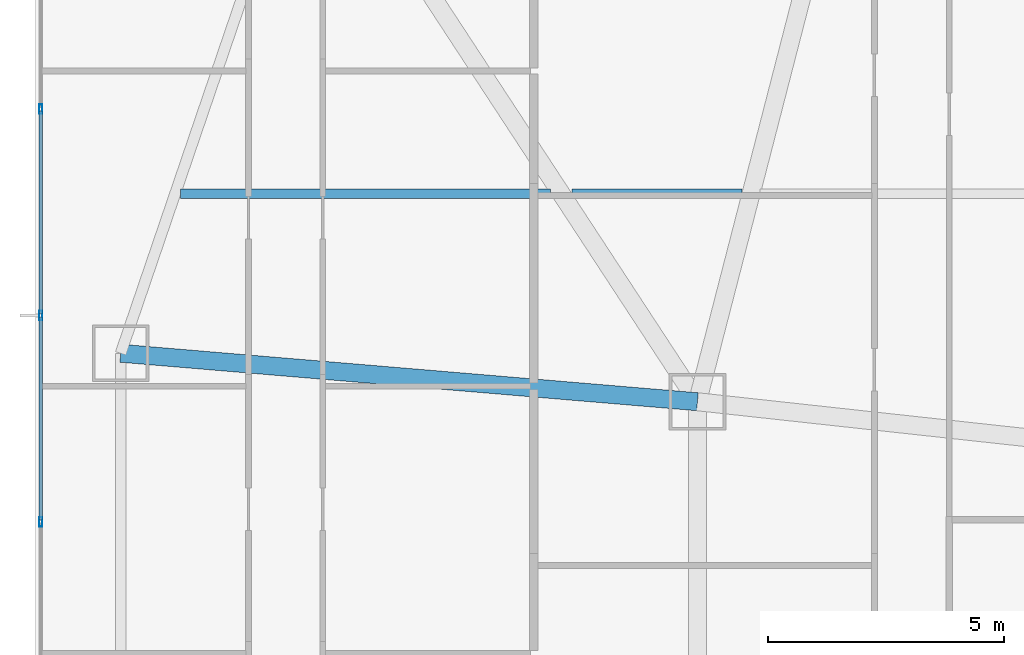
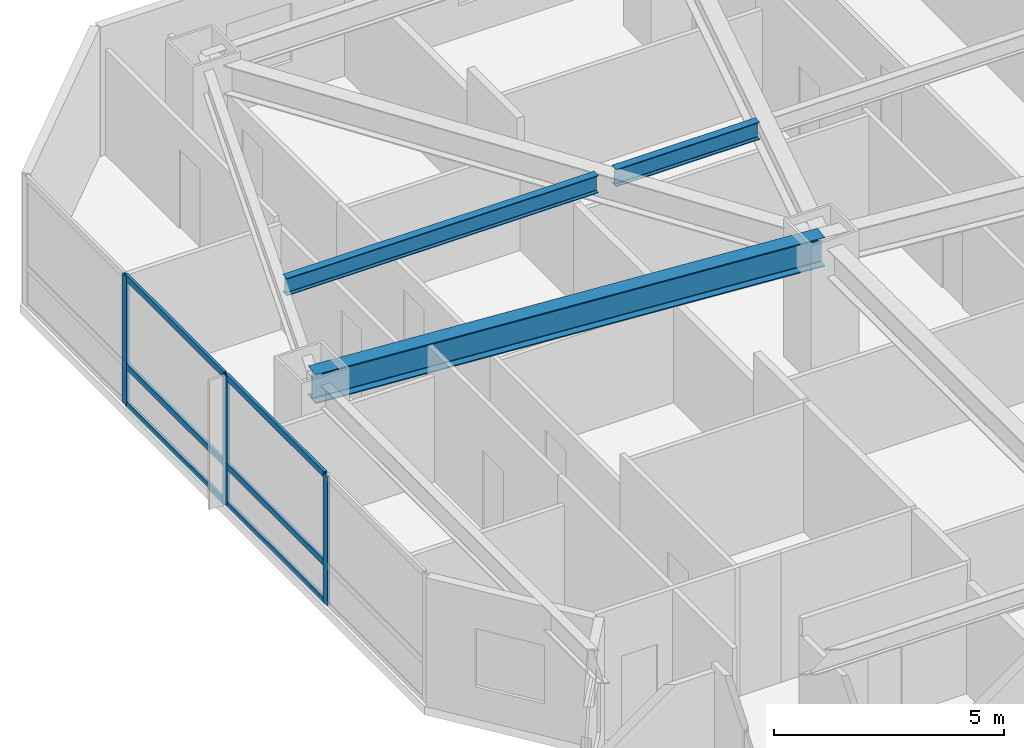
# One storey, part 10 of 25: 9 members, 3 beams, 1 element without a shape of its own.
"""IFC4 building model written with IfcOpenShell, lengths in metres."""

from ifc_helpers import new_model, si_unit, direction, frame, origin, origin_2d, place, context, subcontext, project, spatial, hollow_rectangle, i_section, extrude, material, material_profile, profile_set, type_object, element, aggregate, save


model = new_model("IFC4")

# Units and contexts
model_context = context("Model", 3, precision=1e-05, world=origin(), true_north=direction((0.0, 1.0)))
body_context = subcontext(model_context, "Body", "Model", "MODEL_VIEW")
ifc_project = project(units=[si_unit("LENGTHUNIT", "METRE"), si_unit("AREAUNIT", "SQUARE_METRE"), si_unit("VOLUMEUNIT", "CUBIC_METRE"), si_unit("PLANEANGLEUNIT", "RADIAN"), si_unit("MASSUNIT", "GRAM", prefix="KILO")], contexts=[model_context])

# Site, building, storey
site_placement = place(None, origin())
site = spatial("IfcSite", under=ifc_project, at=site_placement, CompositionType="ELEMENT")
building_placement = place(site_placement, origin())
building = spatial("IfcBuilding", under=site, at=building_placement, Name="Khamvora Tower", CompositionType="ELEMENT")
storey_placement = place(building_placement, frame((0.0, 0.0, 36.949951171875)))
storey = spatial("IfcBuildingStorey", under=building, at=storey_placement, Name="L08", CompositionType="ELEMENT", Elevation=36.949951171875)

# Beams
ifc_material_1 = material(Name="Steel S355", Category="steel")
ifc_material_profile_1 = material_profile(ifc_material_1, i_section(OverallWidth=0.19189453125, OverallDepth=0.462890625, WebThickness=0.010986328125, FlangeThickness=0.01806640625, FilletRadius=0.011962890625, at=origin_2d()), Name="W460x89")
ifc_profile_set_1 = profile_set([ifc_material_profile_1], Name="Steel S355")
beam_type_1 = type_object("IfcBeamType", Name="BM-JS-W460x89", PredefinedType="JOIST", material=ifc_profile_set_1)
beam_1_placement = place(storey_placement, frame((7.068115234375, 42.60009765625, 3.198974609375), z_axis=(1.0, 0.0, 0.0), x_axis=(0.0, 1.0, 0.0)))
element("IfcBeam", 1, at=beam_1_placement, inside=storey, type_object=beam_type_1, Name="L08 secondary floor joist 08", PredefinedType="JOIST", context=body_context, shape_type="SweptSolid", body=[
    extrude(i_section(OverallWidth=0.19189453125, OverallDepth=0.462890625, WebThickness=0.010986328125, FlangeThickness=0.01806640625, FilletRadius=0.011962890625, at=origin_2d()), origin(), (0.0, 0.0, 1.0), 7.827880859375),
])
beam_2_placement = place(storey_placement, frame((15.342041015625, 42.60009765625, 3.198974609375), z_axis=(1.0, 0.0, 0.0), x_axis=(0.0, 1.0, 0.0)))
element("IfcBeam", 2, at=beam_2_placement, inside=storey, type_object=beam_type_1, Name="L08 secondary floor joist 09", PredefinedType="JOIST", context=body_context, shape_type="SweptSolid", body=[
    extrude(i_section(OverallWidth=0.19189453125, OverallDepth=0.462890625, WebThickness=0.010986328125, FlangeThickness=0.01806640625, FilletRadius=0.011962890625, at=origin_2d()), origin(), (0.0, 0.0, 1.0), 3.60107421875),
])
ifc_material_profile_2 = material_profile(ifc_material_1, i_section(OverallWidth=0.381103515625, OverallDepth=0.77294921875, WebThickness=0.01708984375, FlangeThickness=0.027099609375, FilletRadius=0.01806640625, at=origin_2d()), Name="W760x257")
ifc_profile_set_2 = profile_set([ifc_material_profile_2], Name="Steel S355")
beam_type_2 = type_object("IfcBeamType", Name="BM-PG-W760x257", PredefinedType="BEAM", material=ifc_profile_set_2)
beam_3_placement = place(storey_placement, frame((18.0, 38.199951171875, 3.0439453125), z_axis=(-0.996488172114, 0.083733642207, 0.0), x_axis=(-0.083733642207, -0.996488172114, 0.0)))
element("IfcBeam", 3, at=beam_3_placement, inside=storey, type_object=beam_type_2, Name="L08 primary floor girder W2", PredefinedType="BEAM", context=body_context, shape_type="SweptSolid", body=[
    extrude(i_section(OverallWidth=0.381103515625, OverallDepth=0.77294921875, WebThickness=0.01708984375, FlangeThickness=0.027099609375, FilletRadius=0.01806640625, at=origin_2d()), origin(), (0.0, 0.0, 1.0), 12.242919921875),
])

# Curtain wall, members
ifc_material_2 = material(Name="Anodised Aluminium 6063-T6", Category="aluminium")
curtain_wall_type = type_object("IfcCurtainWallType", Name="CW-SYS-02", PredefinedType="NOTDEFINED", material=ifc_material_2)
curtain_wall_placement = place(storey_placement, origin())
curtain_wall = element("IfcCurtainWall", 4, at=curtain_wall_placement, inside=storey, type_object=curtain_wall_type, Name="L08 stick curtain wall 05.1", PredefinedType="NOTDEFINED")
ifc_material_profile_3 = material_profile(ifc_material_2, hollow_rectangle(XDim=0.070068359375, YDim=0.199951171875, WallThickness=0.0048828125, at=origin_2d()), Name="MUL70x200x5")
ifc_profile_set_3 = profile_set([ifc_material_profile_3], Name="Anodised Aluminium 6063-T6")
member_type_1 = type_object("IfcMemberType", Name="CW-SYS-02-MUL", PredefinedType="MULLION", material=ifc_profile_set_3)
member_1_placement = place(storey_placement, frame((4.110107421875, 35.65966796875, 0.0), z_axis=(0.0, 0.0, 1.0), x_axis=(-1.0, 0.0, 0.0)))
member_1 = element("IfcMember", 5, at=member_1_placement, type_object=member_type_1, Name="CW-02 mullion 2", PredefinedType="MULLION", context=body_context, shape_type="SweptSolid", body=[
    extrude(hollow_rectangle(XDim=0.070068359375, YDim=0.199951171875, WallThickness=0.0048828125, at=origin_2d()), origin(), (0.0, 0.0, 1.0), 3.429931640625),
])
member_2_placement = place(storey_placement, frame((4.110107421875, 40.0244140625, 0.0), z_axis=(0.0, 0.0, 1.0), x_axis=(-1.0, 0.0, 0.0)))
member_2 = element("IfcMember", 6, at=member_2_placement, type_object=member_type_1, Name="CW-02 mullion 3", PredefinedType="MULLION", context=body_context, shape_type="SweptSolid", body=[
    extrude(hollow_rectangle(XDim=0.070068359375, YDim=0.199951171875, WallThickness=0.0048828125, at=origin_2d()), origin(), (0.0, 0.0, 1.0), 3.429931640625),
])
member_3_placement = place(storey_placement, frame((4.110107421875, 44.38916015625, 0.0), z_axis=(0.0, 0.0, 1.0), x_axis=(-1.0, 0.0, 0.0)))
member_3 = element("IfcMember", 7, at=member_3_placement, type_object=member_type_1, Name="CW-02 mullion 4", PredefinedType="MULLION", context=body_context, shape_type="SweptSolid", body=[
    extrude(hollow_rectangle(XDim=0.070068359375, YDim=0.199951171875, WallThickness=0.0048828125, at=origin_2d()), origin(), (0.0, 0.0, 1.0), 3.429931640625),
])
ifc_material_profile_4 = material_profile(ifc_material_2, hollow_rectangle(XDim=0.070068359375, YDim=0.1650390625, WallThickness=0.0048828125, at=origin_2d()), Name="TRN70x165x5")
ifc_profile_set_4 = profile_set([ifc_material_profile_4], Name="Anodised Aluminium 6063-T6")
member_type_2 = type_object("IfcMemberType", Name="CW-SYS-02-TRN", PredefinedType="USERDEFINED", material=ifc_profile_set_4)
member_4_placement = place(storey_placement, frame((4.110107421875, 35.69482421875, 0.03515625), z_axis=(0.0, 1.0, 0.0), x_axis=(-1.0, 0.0, 0.0)))
member_4 = element("IfcMember", 8, at=member_4_placement, type_object=member_type_2, Name="CW-02 transom 2.1", ObjectType="TRANSOM", PredefinedType="USERDEFINED", context=body_context, shape_type="SweptSolid", body=[
    extrude(hollow_rectangle(XDim=0.070068359375, YDim=0.1650390625, WallThickness=0.0048828125, at=origin_2d()), origin(), (0.0, 0.0, 1.0), 4.294677734375),
])
member_5_placement = place(storey_placement, frame((4.110107421875, 35.69482421875, 1.050048828125), z_axis=(0.0, 1.0, 0.0), x_axis=(-1.0, 0.0, 0.0)))
member_5 = element("IfcMember", 9, at=member_5_placement, type_object=member_type_2, Name="CW-02 transom 2.2", ObjectType="TRANSOM", PredefinedType="USERDEFINED", context=body_context, shape_type="SweptSolid", body=[
    extrude(hollow_rectangle(XDim=0.070068359375, YDim=0.1650390625, WallThickness=0.0048828125, at=origin_2d()), origin(), (0.0, 0.0, 1.0), 4.294677734375),
])
member_6_placement = place(storey_placement, frame((4.110107421875, 35.69482421875, 3.39501953125), z_axis=(0.0, 1.0, 0.0), x_axis=(-1.0, 0.0, 0.0)))
member_6 = element("IfcMember", 10, at=member_6_placement, type_object=member_type_2, Name="CW-02 transom 2.3", ObjectType="TRANSOM", PredefinedType="USERDEFINED", context=body_context, shape_type="SweptSolid", body=[
    extrude(hollow_rectangle(XDim=0.070068359375, YDim=0.1650390625, WallThickness=0.0048828125, at=origin_2d()), origin(), (0.0, 0.0, 1.0), 4.294677734375),
])
member_7_placement = place(storey_placement, frame((4.110107421875, 40.0595703125, 0.03515625), z_axis=(0.0, 1.0, 0.0), x_axis=(-1.0, 0.0, 0.0)))
member_7 = element("IfcMember", 11, at=member_7_placement, type_object=member_type_2, Name="CW-02 transom 3.1", ObjectType="TRANSOM", PredefinedType="USERDEFINED", context=body_context, shape_type="SweptSolid", body=[
    extrude(hollow_rectangle(XDim=0.070068359375, YDim=0.1650390625, WallThickness=0.0048828125, at=origin_2d()), origin(), (0.0, 0.0, 1.0), 4.294677734375),
])
member_8_placement = place(storey_placement, frame((4.110107421875, 40.0595703125, 1.050048828125), z_axis=(0.0, 1.0, 0.0), x_axis=(-1.0, 0.0, 0.0)))
member_8 = element("IfcMember", 12, at=member_8_placement, type_object=member_type_2, Name="CW-02 transom 3.2", ObjectType="TRANSOM", PredefinedType="USERDEFINED", context=body_context, shape_type="SweptSolid", body=[
    extrude(hollow_rectangle(XDim=0.070068359375, YDim=0.1650390625, WallThickness=0.0048828125, at=origin_2d()), origin(), (0.0, 0.0, 1.0), 4.294677734375),
])
member_9_placement = place(storey_placement, frame((4.110107421875, 40.0595703125, 3.39501953125), z_axis=(0.0, 1.0, 0.0), x_axis=(-1.0, 0.0, 0.0)))
member_9 = element("IfcMember", 13, at=member_9_placement, type_object=member_type_2, Name="CW-02 transom 3.3", ObjectType="TRANSOM", PredefinedType="USERDEFINED", context=body_context, shape_type="SweptSolid", body=[
    extrude(hollow_rectangle(XDim=0.070068359375, YDim=0.1650390625, WallThickness=0.0048828125, at=origin_2d()), origin(), (0.0, 0.0, 1.0), 4.294677734375),
])
aggregate(curtain_wall, [member_1, member_2, member_3, member_4, member_5, member_6, member_7, member_8, member_9])

save(model, "model.ifc")
